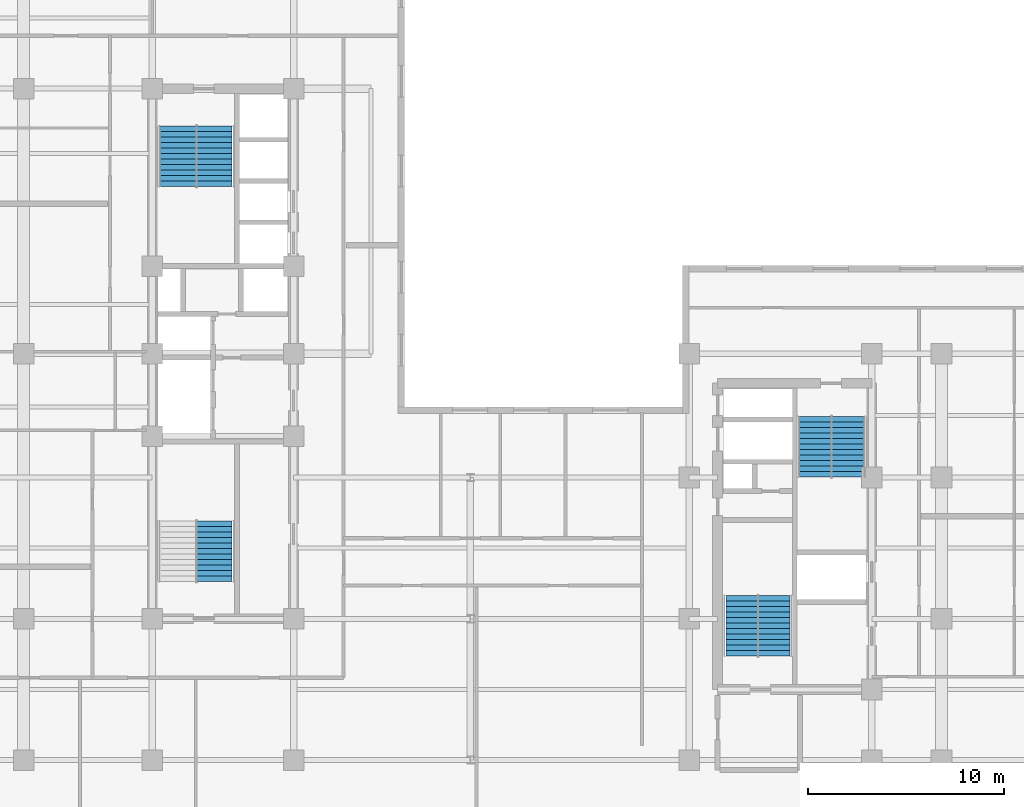
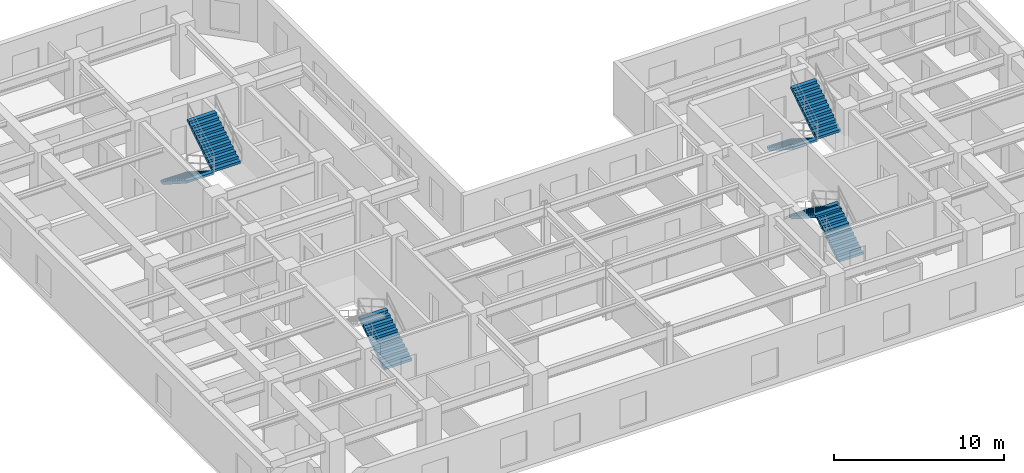
# One storey, part 7 of 10: 7 stair flights, 4 elements without a shape of their own.
"""IFC4 building model written with IfcOpenShell, lengths in metres."""

from ifc_helpers import new_model, entity, si_unit, converted_unit, direction, frame, origin_with_axes, place, context, subcontext, project, spatial, polyline, outline, extrude, material, type_object, element, aggregate, save


model = new_model("IFC4")

# Units and contexts
model_context = context("Model", 3, precision=1e-05, world=origin_with_axes(), true_north=direction((0.0, 1.0)))
body_context = subcontext(model_context, "Body", "Model", "MODEL_VIEW")
ifc_project = project(units=[si_unit("LENGTHUNIT", "METRE"), si_unit("AREAUNIT", "SQUARE_METRE"), si_unit("VOLUMEUNIT", "CUBIC_METRE"), converted_unit("PLANEANGLEUNIT", "DEGREE", entity("IfcPlaneAngleMeasure", 0.017453292519943295), si_unit("PLANEANGLEUNIT", "RADIAN"), dimensions=[0, 0, 0, 0, 0, 0, 0]), si_unit("MASSUNIT", "GRAM", prefix="KILO"), si_unit("THERMODYNAMICTEMPERATUREUNIT", "KELVIN")], contexts=[model_context])

# Site, building, storey
site_placement = place(None, origin_with_axes())
site = spatial("IfcSite", under=ifc_project, at=site_placement, CompositionType="ELEMENT")
building_placement = place(site_placement, origin_with_axes())
building = spatial("IfcBuilding", under=site, at=building_placement, Name="Varnlund Millrace Tower", CompositionType="ELEMENT")
storey_placement = place(building_placement, frame((0.0, 0.0, 168.0), z_axis=(0.0, 0.0, 1.0), x_axis=(1.0, 0.0, 0.0)))
storey = spatial("IfcBuildingStorey", under=building, at=storey_placement, Name="L41", CompositionType="ELEMENT", Elevation=168.0)

# Stair, stair flights
ifc_material_1 = material(Name="Concrete C50/60", Category="concrete")
stair_type_1 = type_object("IfcStairType", Name="Type-Stair-Dogleg-165-390", PredefinedType="HALF_TURN_STAIR", material=ifc_material_1)
stair_1_placement = place(storey_placement, origin_with_axes())
stair_1 = element("IfcStair", 1, at=stair_1_placement, inside=storey, type_object=stair_type_1, Name="Type-Stair-Dogleg-165-390", PredefinedType="HALF_TURN_STAIR")
ifc_material_2 = material(Name="Precast concrete C50/60", Category="concrete")
stair_flight_type_1 = type_object("IfcStairFlightType", Name="Type-Dogleg-Run-165-390", PredefinedType="STRAIGHT", material=ifc_material_2)
stair_flight_1_placement = place(storey_placement, frame((42.225, 8.9, 0.0), z_axis=(1.0, 0.0, 0.0), x_axis=(0.0, 1.0, 0.0)))
stair_flight_1 = element("IfcStairFlight", 2, at=stair_flight_1_placement, type_object=stair_flight_type_1, Name="ST-B1 flight 1", NumberOfRisers=11, NumberOfTreads=11, PredefinedType="STRAIGHT", RiserHeight=0.177273, TreadLength=0.28, context=body_context, shape_type="SweptSolid", body=[
    extrude(outline(polyline([(0.0, 0.0), (0.0, 0.177273), (0.28, 0.177273), (0.28, 0.354545), (0.56, 0.354545), (0.56, 0.531818), (0.84, 0.531818), (0.84, 0.709091), (1.12, 0.709091), (1.12, 0.886364), (1.4, 0.886364), (1.4, 1.063636), (1.68, 1.063636), (1.68, 1.240909), (1.96, 1.240909), (1.96, 1.418182), (2.24, 1.418182), (2.24, 1.595454), (2.52, 1.595454), (2.52, 1.772727), (2.8, 1.772727), (2.8, 1.95), (3.08, 1.95), (3.08, 1.8), (0.28, 0.0), (0.0, 0.0)])), origin_with_axes(), (0.0, 0.0, 1.0), 1.65),
])
stair_flight_2_placement = place(storey_placement, frame((42.275, 11.98, 1.95), z_axis=(-1.0, 0.0, 0.0), x_axis=(0.0, -1.0, 0.0)))
stair_flight_2 = element("IfcStairFlight", 3, at=stair_flight_2_placement, type_object=stair_flight_type_1, Name="ST-B1 flight 2", NumberOfRisers=11, NumberOfTreads=11, PredefinedType="STRAIGHT", RiserHeight=0.177273, TreadLength=0.28, context=body_context, shape_type="SweptSolid", body=[
    extrude(outline(polyline([(0.0, 0.0), (0.0, 0.177273), (0.28, 0.177273), (0.28, 0.354545), (0.56, 0.354545), (0.56, 0.531818), (0.84, 0.531818), (0.84, 0.709091), (1.12, 0.709091), (1.12, 0.886364), (1.4, 0.886364), (1.4, 1.063636), (1.68, 1.063636), (1.68, 1.240909), (1.96, 1.240909), (1.96, 1.418182), (2.24, 1.418182), (2.24, 1.595454), (2.52, 1.595454), (2.52, 1.772727), (2.8, 1.772727), (2.8, 1.95), (3.08, 1.95), (3.08, 1.8), (0.28, 0.0), (0.0, 0.0)])), origin_with_axes(), (0.0, 0.0, 1.0), 1.65),
])
aggregate(stair_1, [stair_flight_1, stair_flight_2])

stair_2_placement = place(storey_placement, origin_with_axes())
stair_2 = element("IfcStair", 4, at=stair_2_placement, inside=storey, type_object=stair_type_1, Name="Type-Stair-Dogleg-165-390", PredefinedType="HALF_TURN_STAIR")
stair_flight_3_placement = place(storey_placement, frame((46.025, 21.1, 0.0), z_axis=(-1.0, 0.0, 0.0), x_axis=(0.0, -1.0, 0.0)))
stair_flight_3 = element("IfcStairFlight", 5, at=stair_flight_3_placement, type_object=stair_flight_type_1, Name="ST-B2 flight 1", NumberOfRisers=11, NumberOfTreads=11, PredefinedType="STRAIGHT", RiserHeight=0.177273, TreadLength=0.28, context=body_context, shape_type="SweptSolid", body=[
    extrude(outline(polyline([(0.0, 0.0), (0.0, 0.177273), (0.28, 0.177273), (0.28, 0.354545), (0.56, 0.354545), (0.56, 0.531818), (0.84, 0.531818), (0.84, 0.709091), (1.12, 0.709091), (1.12, 0.886364), (1.4, 0.886364), (1.4, 1.063636), (1.68, 1.063636), (1.68, 1.240909), (1.96, 1.240909), (1.96, 1.418182), (2.24, 1.418182), (2.24, 1.595454), (2.52, 1.595454), (2.52, 1.772727), (2.8, 1.772727), (2.8, 1.95), (3.08, 1.95), (3.08, 1.8), (0.28, 0.0), (0.0, 0.0)])), origin_with_axes(), (0.0, 0.0, 1.0), 1.65),
])
stair_flight_4_placement = place(storey_placement, frame((45.975, 18.02, 1.95), z_axis=(1.0, 0.0, 0.0), x_axis=(0.0, 1.0, 0.0)))
stair_flight_4 = element("IfcStairFlight", 6, at=stair_flight_4_placement, type_object=stair_flight_type_1, Name="ST-B2 flight 2", NumberOfRisers=11, NumberOfTreads=11, PredefinedType="STRAIGHT", RiserHeight=0.177273, TreadLength=0.28, context=body_context, shape_type="SweptSolid", body=[
    extrude(outline(polyline([(0.0, 0.0), (0.0, 0.177273), (0.28, 0.177273), (0.28, 0.354545), (0.56, 0.354545), (0.56, 0.531818), (0.84, 0.531818), (0.84, 0.709091), (1.12, 0.709091), (1.12, 0.886364), (1.4, 0.886364), (1.4, 1.063636), (1.68, 1.063636), (1.68, 1.240909), (1.96, 1.240909), (1.96, 1.418182), (2.24, 1.418182), (2.24, 1.595454), (2.52, 1.595454), (2.52, 1.772727), (2.8, 1.772727), (2.8, 1.95), (3.08, 1.95), (3.08, 1.8), (0.28, 0.0), (0.0, 0.0)])), origin_with_axes(), (0.0, 0.0, 1.0), 1.65),
])
aggregate(stair_2, [stair_flight_3, stair_flight_4])

# Stair, stair flight
stair_type_2 = type_object("IfcStairType", Name="Type-Stair-Dogleg-185-390", PredefinedType="HALF_TURN_STAIR", material=ifc_material_1)
stair_3_placement = place(storey_placement, origin_with_axes())
stair_3 = element("IfcStair", 7, at=stair_3_placement, inside=storey, type_object=stair_type_2, Name="Type-Stair-Dogleg-185-390", PredefinedType="HALF_TURN_STAIR")
stair_flight_type_2 = type_object("IfcStairFlightType", Name="Type-Dogleg-Run-185-390", PredefinedType="STRAIGHT", material=ifc_material_2)
stair_flight_5_placement = place(storey_placement, frame((13.625, 12.7, 0.0), z_axis=(1.0, 0.0, 0.0), x_axis=(0.0, 1.0, 0.0)))
stair_flight_5 = element("IfcStairFlight", 8, at=stair_flight_5_placement, type_object=stair_flight_type_2, Name="ST-A1 flight 1", NumberOfRisers=11, NumberOfTreads=11, PredefinedType="STRAIGHT", RiserHeight=0.177273, TreadLength=0.28, context=body_context, shape_type="SweptSolid", body=[
    extrude(outline(polyline([(0.0, 0.0), (0.0, 0.177273), (0.28, 0.177273), (0.28, 0.354545), (0.56, 0.354545), (0.56, 0.531818), (0.84, 0.531818), (0.84, 0.709091), (1.12, 0.709091), (1.12, 0.886364), (1.4, 0.886364), (1.4, 1.063636), (1.68, 1.063636), (1.68, 1.240909), (1.96, 1.240909), (1.96, 1.418182), (2.24, 1.418182), (2.24, 1.595454), (2.52, 1.595454), (2.52, 1.772727), (2.8, 1.772727), (2.8, 1.95), (3.08, 1.95), (3.08, 1.8), (0.28, 0.0), (0.0, 0.0)])), origin_with_axes(), (0.0, 0.0, 1.0), 1.85),
])
aggregate(stair_3, [stair_flight_5])

# Stair, stair flights
stair_4_placement = place(storey_placement, origin_with_axes())
stair_4 = element("IfcStair", 9, at=stair_4_placement, inside=storey, type_object=stair_type_2, Name="Type-Stair-Dogleg-185-390", PredefinedType="HALF_TURN_STAIR")
stair_flight_6_placement = place(storey_placement, frame((13.675, 35.9, 0.0), z_axis=(-1.0, 0.0, 0.0), x_axis=(0.0, -1.0, 0.0)))
stair_flight_6 = element("IfcStairFlight", 10, at=stair_flight_6_placement, type_object=stair_flight_type_2, Name="ST-A2 flight 1", NumberOfRisers=11, NumberOfTreads=11, PredefinedType="STRAIGHT", RiserHeight=0.177273, TreadLength=0.28, context=body_context, shape_type="SweptSolid", body=[
    extrude(outline(polyline([(0.0, 0.0), (0.0, 0.177273), (0.28, 0.177273), (0.28, 0.354545), (0.56, 0.354545), (0.56, 0.531818), (0.84, 0.531818), (0.84, 0.709091), (1.12, 0.709091), (1.12, 0.886364), (1.4, 0.886364), (1.4, 1.063636), (1.68, 1.063636), (1.68, 1.240909), (1.96, 1.240909), (1.96, 1.418182), (2.24, 1.418182), (2.24, 1.595454), (2.52, 1.595454), (2.52, 1.772727), (2.8, 1.772727), (2.8, 1.95), (3.08, 1.95), (3.08, 1.8), (0.28, 0.0), (0.0, 0.0)])), origin_with_axes(), (0.0, 0.0, 1.0), 1.85),
])
stair_flight_7_placement = place(storey_placement, frame((13.625, 32.82, 1.95), z_axis=(1.0, 0.0, 0.0), x_axis=(0.0, 1.0, 0.0)))
stair_flight_7 = element("IfcStairFlight", 11, at=stair_flight_7_placement, type_object=stair_flight_type_2, Name="ST-A2 flight 2", NumberOfRisers=11, NumberOfTreads=11, PredefinedType="STRAIGHT", RiserHeight=0.177273, TreadLength=0.28, context=body_context, shape_type="SweptSolid", body=[
    extrude(outline(polyline([(0.0, 0.0), (0.0, 0.177273), (0.28, 0.177273), (0.28, 0.354545), (0.56, 0.354545), (0.56, 0.531818), (0.84, 0.531818), (0.84, 0.709091), (1.12, 0.709091), (1.12, 0.886364), (1.4, 0.886364), (1.4, 1.063636), (1.68, 1.063636), (1.68, 1.240909), (1.96, 1.240909), (1.96, 1.418182), (2.24, 1.418182), (2.24, 1.595454), (2.52, 1.595454), (2.52, 1.772727), (2.8, 1.772727), (2.8, 1.95), (3.08, 1.95), (3.08, 1.8), (0.28, 0.0), (0.0, 0.0)])), origin_with_axes(), (0.0, 0.0, 1.0), 1.85),
])
aggregate(stair_4, [stair_flight_6, stair_flight_7])

save(model, "model.ifc")
